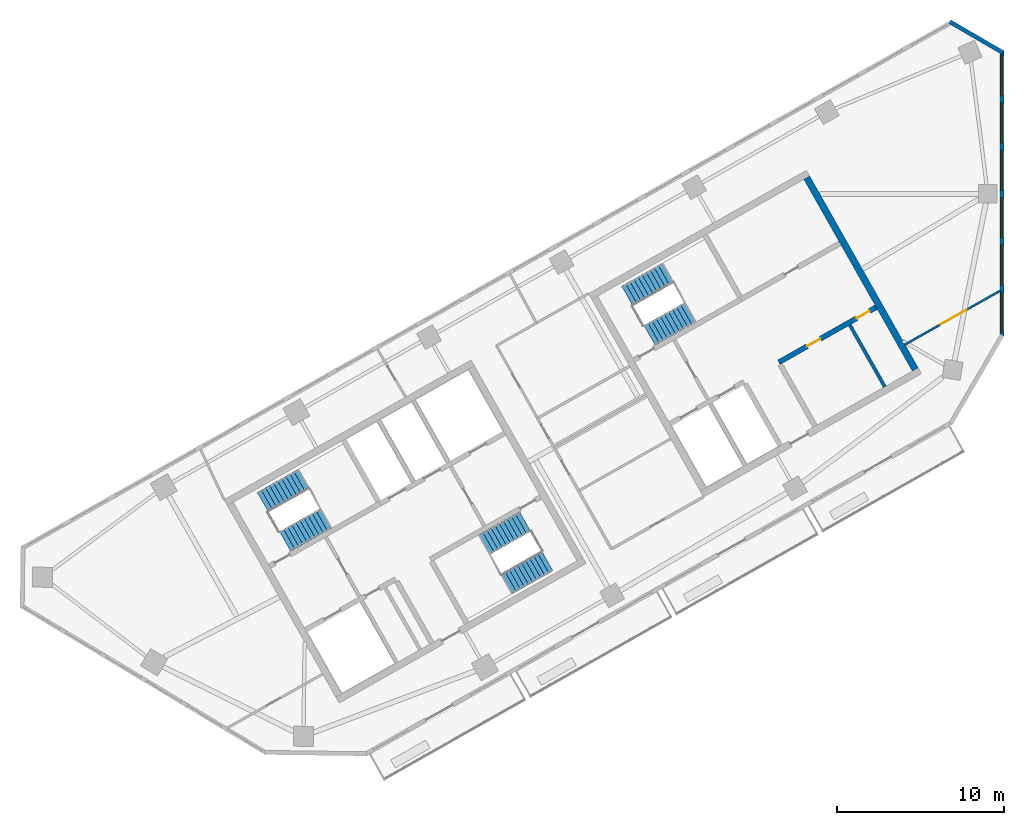
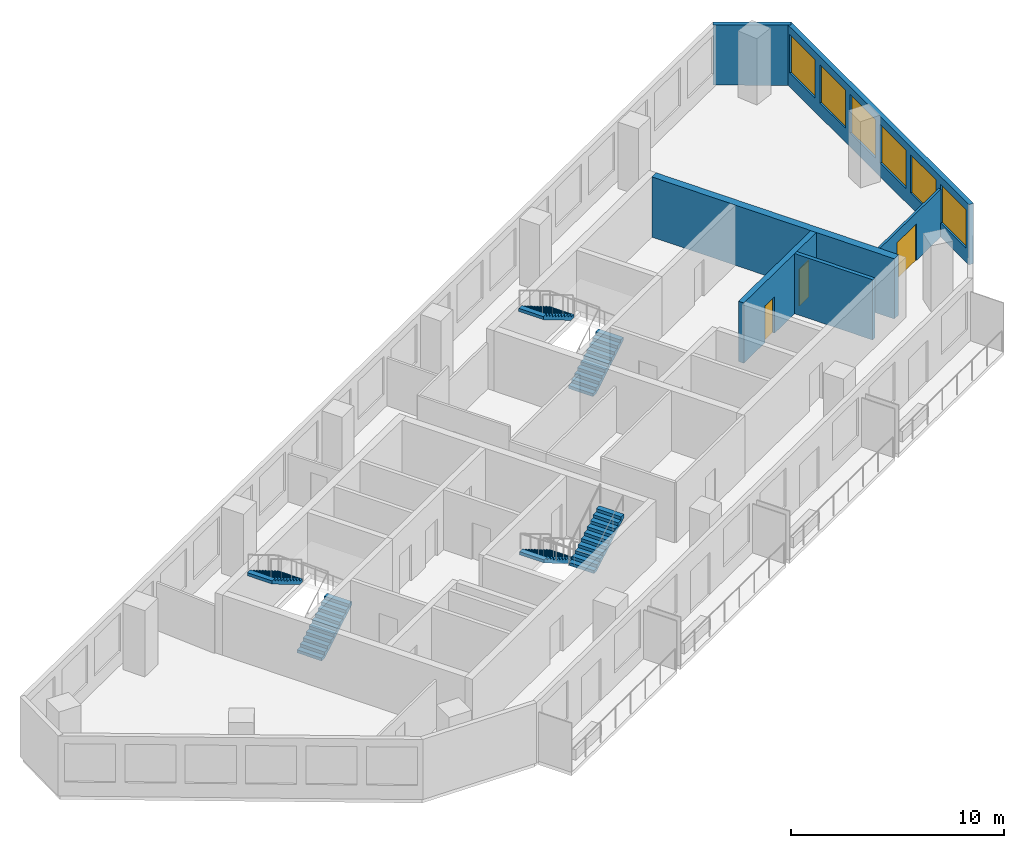
# One storey, part 5 of 7: 6 stair flights, 6 walls, 6 windows, 3 doors, 9 openings, 3 elements without a shape of their own.
"""IFC4 building model written with IfcOpenShell, lengths in metres."""

from ifc_helpers import new_model, si_unit, direction, frame, frame_2d, origin, place, context, subcontext, project, spatial, polyline, rectangle, outline, extrude, material, layer, layer_set, type_object, element, fill, aggregate, save


model = new_model("IFC4")

# Units and contexts
model_context = context("Model", 3, precision=1e-05, world=origin(), true_north=direction((0.0, 1.0)))
body_context = subcontext(model_context, "Body", "Model", "MODEL_VIEW")
ifc_project = project(units=[si_unit("LENGTHUNIT", "METRE"), si_unit("AREAUNIT", "SQUARE_METRE"), si_unit("VOLUMEUNIT", "CUBIC_METRE"), si_unit("PLANEANGLEUNIT", "RADIAN"), si_unit("MASSUNIT", "GRAM", prefix="KILO")], contexts=[model_context])

# Site, building, storey
site_placement = place(None, origin())
site = spatial("IfcSite", under=ifc_project, at=site_placement, CompositionType="ELEMENT")
building_placement = place(site_placement, origin())
building = spatial("IfcBuilding", under=site, at=building_placement, Name="Binnacle Exchange Tower", CompositionType="ELEMENT")
storey_placement = place(building_placement, frame((0.0, 0.0, 281.699951171875)))
storey = spatial("IfcBuildingStorey", under=building, at=storey_placement, Name="L63", CompositionType="ELEMENT", Elevation=281.699951171875)

# Wall
ifc_material_1 = material(Name="Gypsum partition fire rated")
ifc_layer_1 = layer(ifc_material_1, 0.199951171875)
ifc_layer_set_1 = layer_set([ifc_layer_1], Name="Core partition 200")
wall_type_1 = type_object("IfcWallType", Name="Core partition 200", PredefinedType="PARTITIONING", material=ifc_layer_set_1)
wall_1_placement = place(storey_placement, frame((-9.11279296875, 52.14404296875, 0.0), z_axis=(0.0, 0.0, 1.0), x_axis=(0.492422543467, -0.870356271124, 0.0)))
element("IfcWall", 1, at=wall_1_placement, inside=storey, type_object=wall_type_1, Name="Core wall CRWC22", PredefinedType="PARTITIONING", context=body_context, shape_type="SweptSolid", body=[
    extrude(rectangle(XDim=4.25, YDim=0.199951171875, at=frame_2d((2.125, 0.0))), origin(), (0.0, 0.0, 1.0), 3.449951171875),
])

# Wall, openings, doors
ifc_material_2 = material(Name="Concrete C70/85", Category="concrete")
ifc_layer_2 = layer(ifc_material_2, 0.300048828125)
ifc_layer_set_2 = layer_set([ifc_layer_2], Name="Core wall - front 300")
wall_type_2 = type_object("IfcWallType", Name="Core wall - front 300", PredefinedType="SOLIDWALL", material=ifc_layer_set_2)
wall_2_placement = place(storey_placement, frame((-13.364501953125, 49.910888671875, 0.0), z_axis=(0.0, 0.0, 1.0), x_axis=(0.870347618718, 0.492437836272, 0.0)))
wall_2 = element("IfcWall", 2, at=wall_2_placement, inside=storey, type_object=wall_type_2, Name="Core wall CRWC3", PredefinedType="SOLIDWALL", context=body_context, shape_type="SweptSolid", body=[
    extrude(rectangle(XDim=6.699951171875, YDim=0.300048828125, at=frame_2d((3.35009765625, 0.0))), origin(), (0.0, 0.0, 1.0), 3.449951171875),
])
opening_1_placement = place(wall_2_placement, frame((1.949951171875, 0.0, 0.0)))
opening_1 = element("IfcOpeningElement", 3, at=opening_1_placement, cuts=wall_2, Name="Opening DC18", PredefinedType="OPENING", context=body_context, shape_type="SweptSolid", body=[
    extrude(rectangle(XDim=0.89990234375, YDim=2.10009765625, at=frame_2d((0.449951171875, 1.050048828125))), frame((0.0, 0.159912109375, 0.0), z_axis=(0.0, -1.0, 0.0), x_axis=(1.0, 0.0, 0.0)), (0.0, 0.0, 1.0), 0.320068359375),
])
opening_2_placement = place(wall_2_placement, frame((5.35009765625, 0.0, 0.0)))
opening_2 = element("IfcOpeningElement", 4, at=opening_2_placement, cuts=wall_2, Name="Opening DC19", PredefinedType="OPENING", context=body_context, shape_type="SweptSolid", body=[
    extrude(rectangle(XDim=0.89990234375, YDim=2.10009765625, at=frame_2d((0.449951171875, 1.050048828125))), frame((0.0, 0.159912109375, 0.0), z_axis=(0.0, -1.0, 0.0), x_axis=(1.0, 0.0, 0.0)), (0.0, 0.0, 1.0), 0.320068359375),
])
ifc_material_3 = material(Name="Steel door leaf", Category="steel")
door_type_1 = type_object("IfcDoorType", Name="Fire door 900", OperationType="NOTDEFINED", PredefinedType="DOOR", material=ifc_material_3)
door_1_placement = place(opening_1_placement, frame((0.89990234375, 0.0, 0.0), z_axis=(0.0, 0.0, 1.0), x_axis=(-1.0, 0.0, 0.0)))
door_1 = element("IfcDoor", 5, at=door_1_placement, inside=storey, type_object=door_type_1, Name="Core room door TELECOM RISER ROOM", OperationType="SINGLE_SWING_RIGHT", OverallHeight=2.10009765625, OverallWidth=0.89990234375, PredefinedType="DOOR", context=body_context, shape_type="SweptSolid", body=[
    extrude(rectangle(XDim=0.89990234375, YDim=2.10009765625, at=frame_2d((0.449951171875, 1.050048828125))), frame((0.0, 0.02490234375, 0.0), z_axis=(0.0, -1.0, 0.0), x_axis=(1.0, 0.0, 0.0)), (0.0, 0.0, 1.0), 0.050048828125),
])
fill(opening_1, door_1)
door_2_placement = place(opening_2_placement, frame((0.89990234375, 0.0, 0.0), z_axis=(0.0, 0.0, 1.0), x_axis=(-1.0, 0.0, 0.0)))
door_2 = element("IfcDoor", 6, at=door_2_placement, inside=storey, type_object=door_type_1, Name="Core room door COMMS RISER ROOM", OperationType="SINGLE_SWING_LEFT", OverallHeight=2.10009765625, OverallWidth=0.89990234375, PredefinedType="DOOR", context=body_context, shape_type="SweptSolid", body=[
    extrude(rectangle(XDim=0.89990234375, YDim=2.10009765625, at=frame_2d((0.449951171875, 1.050048828125))), frame((0.0, 0.02490234375, 0.0), z_axis=(0.0, -1.0, 0.0), x_axis=(1.0, 0.0, 0.0)), (0.0, 0.0, 1.0), 0.050048828125),
])
fill(opening_2, door_2)

# Wall
ifc_layer_3 = layer(ifc_material_2, 0.39990234375)
ifc_layer_set_3 = layer_set([ifc_layer_3], Name="Core wall - outer 400")
wall_type_3 = type_object("IfcWallType", Name="Core wall - outer 400", PredefinedType="SOLIDWALL", material=ifc_layer_set_3)
wall_3_placement = place(storey_placement, frame((-11.6923828125, 60.968017578125, 0.0), z_axis=(0.0, 0.0, 1.0), x_axis=(0.492421663121, -0.870356769198, 0.0)))
element("IfcWall", 7, at=wall_3_placement, inside=storey, type_object=wall_type_3, Name="Core wall CRWC24", PredefinedType="SOLIDWALL", context=body_context, shape_type="SweptSolid", body=[
    extrude(rectangle(XDim=13.199951171875, YDim=0.39990234375, at=frame_2d((6.60009765625, 0.0))), origin(), (0.0, 0.0, 1.0), 3.449951171875),
])

# Wall, openings, windows
ifc_material_4 = material(Name="Bronze aluminium cladding", Category="aluminium")
ifc_layer_4 = layer(ifc_material_4, 0.25)
ifc_layer_set_4 = layer_set([ifc_layer_4], Name="External wall - window wall 250")
wall_type_4 = type_object("IfcWallType", Name="External wall - window wall 250", PredefinedType="STANDARD", material=ifc_layer_set_4)
wall_4_placement = place(storey_placement, frame((0.0, 68.57177734375, 0.0), z_axis=(0.0, 0.0, 1.0), x_axis=(0.0, -1.0, 0.0)))
wall_4 = element("IfcWall", 8, at=wall_4_placement, inside=storey, type_object=wall_type_4, Name="External wall EW-H01 L63", PredefinedType="STANDARD", context=body_context, shape_type="SweptSolid", body=[
    extrude(rectangle(XDim=17.10546875, YDim=0.25, at=frame_2d((8.552734375, 0.0))), origin(), (0.0, 0.0, 1.0), 3.449951171875),
])
opening_3_placement = place(wall_4_placement, frame((14.455078125, 0.0, 0.800048828125)))
opening_3 = element("IfcOpeningElement", 9, at=opening_3_placement, cuts=wall_4, Name="Opening WR2", PredefinedType="OPENING", context=body_context, shape_type="SweptSolid", body=[
    extrude(rectangle(XDim=2.39990234375, YDim=2.199951171875, at=frame_2d((1.199951171875, 1.10009765625))), frame((0.0, 0.135009765625, 0.0), z_axis=(0.0, -1.0, 0.0), x_axis=(1.0, 0.0, 0.0)), (0.0, 0.0, 1.0), 0.27001953125),
])
opening_4_placement = place(wall_4_placement, frame((11.621826171875, 0.0, 0.800048828125)))
opening_4 = element("IfcOpeningElement", 10, at=opening_4_placement, cuts=wall_4, Name="Opening WR2", PredefinedType="OPENING", context=body_context, shape_type="SweptSolid", body=[
    extrude(rectangle(XDim=2.39990234375, YDim=2.199951171875, at=frame_2d((1.199951171875, 1.10009765625))), frame((0.0, 0.135009765625, 0.0), z_axis=(0.0, -1.0, 0.0), x_axis=(1.0, 0.0, 0.0)), (0.0, 0.0, 1.0), 0.27001953125),
])
opening_5_placement = place(wall_4_placement, frame((8.78857421875, 0.0, 0.800048828125)))
opening_5 = element("IfcOpeningElement", 11, at=opening_5_placement, cuts=wall_4, Name="Opening WR2", PredefinedType="OPENING", context=body_context, shape_type="SweptSolid", body=[
    extrude(rectangle(XDim=2.39990234375, YDim=2.199951171875, at=frame_2d((1.199951171875, 1.10009765625))), frame((0.0, 0.135009765625, 0.0), z_axis=(0.0, -1.0, 0.0), x_axis=(1.0, 0.0, 0.0)), (0.0, 0.0, 1.0), 0.27001953125),
])
opening_6_placement = place(wall_4_placement, frame((5.955078125, 0.0, 0.800048828125)))
opening_6 = element("IfcOpeningElement", 12, at=opening_6_placement, cuts=wall_4, Name="Opening WR2", PredefinedType="OPENING", context=body_context, shape_type="SweptSolid", body=[
    extrude(rectangle(XDim=2.39990234375, YDim=2.199951171875, at=frame_2d((1.199951171875, 1.10009765625))), frame((0.0, 0.135009765625, 0.0), z_axis=(0.0, -1.0, 0.0), x_axis=(1.0, 0.0, 0.0)), (0.0, 0.0, 1.0), 0.27001953125),
])
opening_7_placement = place(wall_4_placement, frame((3.121826171875, 0.0, 0.800048828125)))
opening_7 = element("IfcOpeningElement", 13, at=opening_7_placement, cuts=wall_4, Name="Opening WR2", PredefinedType="OPENING", context=body_context, shape_type="SweptSolid", body=[
    extrude(rectangle(XDim=2.39990234375, YDim=2.199951171875, at=frame_2d((1.199951171875, 1.10009765625))), frame((0.0, 0.135009765625, 0.0), z_axis=(0.0, -1.0, 0.0), x_axis=(1.0, 0.0, 0.0)), (0.0, 0.0, 1.0), 0.27001953125),
])
opening_8_placement = place(wall_4_placement, frame((0.28857421875, 0.0, 0.800048828125)))
opening_8 = element("IfcOpeningElement", 14, at=opening_8_placement, cuts=wall_4, Name="Opening WR2", PredefinedType="OPENING", context=body_context, shape_type="SweptSolid", body=[
    extrude(rectangle(XDim=2.39990234375, YDim=2.199951171875, at=frame_2d((1.199951171875, 1.10009765625))), frame((0.0, 0.135009765625, 0.0), z_axis=(0.0, -1.0, 0.0), x_axis=(1.0, 0.0, 0.0)), (0.0, 0.0, 1.0), 0.27001953125),
])
ifc_material_5 = material(Name="Bronze anodised aluminium frame", Category="aluminium")
window_type = type_object("IfcWindowType", Name="WR2 WINDOW 2400x2200", PartitioningType="SINGLE_PANEL", PredefinedType="WINDOW", material=ifc_material_5)
window_1_placement = place(opening_3_placement, origin())
window_1 = element("IfcWindow", 15, at=window_1_placement, inside=storey, type_object=window_type, Name="Window WR2 L63", OverallHeight=2.199951171875, OverallWidth=2.39990234375, PartitioningType="SINGLE_PANEL", PredefinedType="WINDOW", context=body_context, shape_type="SweptSolid", body=[
    extrude(rectangle(XDim=2.39990234375, YDim=2.199951171875, at=frame_2d((1.199951171875, 1.10009765625))), frame((0.0, 0.030029296875, 0.0), z_axis=(0.0, -1.0, 0.0), x_axis=(1.0, 0.0, 0.0)), (0.0, 0.0, 1.0), 0.06005859375),
])
fill(opening_3, window_1)
window_2_placement = place(opening_4_placement, origin())
window_2 = element("IfcWindow", 16, at=window_2_placement, inside=storey, type_object=window_type, Name="Window WR2 L63", OverallHeight=2.199951171875, OverallWidth=2.39990234375, PartitioningType="SINGLE_PANEL", PredefinedType="WINDOW", context=body_context, shape_type="SweptSolid", body=[
    extrude(rectangle(XDim=2.39990234375, YDim=2.199951171875, at=frame_2d((1.199951171875, 1.10009765625))), frame((0.0, 0.030029296875, 0.0), z_axis=(0.0, -1.0, 0.0), x_axis=(1.0, 0.0, 0.0)), (0.0, 0.0, 1.0), 0.06005859375),
])
fill(opening_4, window_2)
window_3_placement = place(opening_5_placement, origin())
window_3 = element("IfcWindow", 17, at=window_3_placement, inside=storey, type_object=window_type, Name="Window WR2 L63", OverallHeight=2.199951171875, OverallWidth=2.39990234375, PartitioningType="SINGLE_PANEL", PredefinedType="WINDOW", context=body_context, shape_type="SweptSolid", body=[
    extrude(rectangle(XDim=2.39990234375, YDim=2.199951171875, at=frame_2d((1.199951171875, 1.10009765625))), frame((0.0, 0.030029296875, 0.0), z_axis=(0.0, -1.0, 0.0), x_axis=(1.0, 0.0, 0.0)), (0.0, 0.0, 1.0), 0.06005859375),
])
fill(opening_5, window_3)
window_4_placement = place(opening_6_placement, origin())
window_4 = element("IfcWindow", 18, at=window_4_placement, inside=storey, type_object=window_type, Name="Window WR2 L63", OverallHeight=2.199951171875, OverallWidth=2.39990234375, PartitioningType="SINGLE_PANEL", PredefinedType="WINDOW", context=body_context, shape_type="SweptSolid", body=[
    extrude(rectangle(XDim=2.39990234375, YDim=2.199951171875, at=frame_2d((1.199951171875, 1.10009765625))), frame((0.0, 0.030029296875, 0.0), z_axis=(0.0, -1.0, 0.0), x_axis=(1.0, 0.0, 0.0)), (0.0, 0.0, 1.0), 0.06005859375),
])
fill(opening_6, window_4)
window_5_placement = place(opening_7_placement, origin())
window_5 = element("IfcWindow", 19, at=window_5_placement, inside=storey, type_object=window_type, Name="Window WR2 L63", OverallHeight=2.199951171875, OverallWidth=2.39990234375, PartitioningType="SINGLE_PANEL", PredefinedType="WINDOW", context=body_context, shape_type="SweptSolid", body=[
    extrude(rectangle(XDim=2.39990234375, YDim=2.199951171875, at=frame_2d((1.199951171875, 1.10009765625))), frame((0.0, 0.030029296875, 0.0), z_axis=(0.0, -1.0, 0.0), x_axis=(1.0, 0.0, 0.0)), (0.0, 0.0, 1.0), 0.06005859375),
])
fill(opening_7, window_5)
window_6_placement = place(opening_8_placement, origin())
window_6 = element("IfcWindow", 20, at=window_6_placement, inside=storey, type_object=window_type, Name="Window WR2 L63", OverallHeight=2.199951171875, OverallWidth=2.39990234375, PartitioningType="SINGLE_PANEL", PredefinedType="WINDOW", context=body_context, shape_type="SweptSolid", body=[
    extrude(rectangle(XDim=2.39990234375, YDim=2.199951171875, at=frame_2d((1.199951171875, 1.10009765625))), frame((0.0, 0.030029296875, 0.0), z_axis=(0.0, -1.0, 0.0), x_axis=(1.0, 0.0, 0.0)), (0.0, 0.0, 1.0), 0.06005859375),
])
fill(opening_8, window_6)

# Wall
wall_5_placement = place(storey_placement, frame((-3.108154296875, 70.312744140625, 0.0), z_axis=(0.0, 0.0, 1.0), x_axis=(0.86382474085, -0.503792434536, 0.0)))
element("IfcWall", 21, at=wall_5_placement, inside=storey, type_object=wall_type_4, Name="External wall EW-H02 L63", PredefinedType="STANDARD", context=body_context, shape_type="SweptSolid", body=[
    extrude(rectangle(XDim=3.669921875, YDim=0.25, at=frame_2d((1.8349609375, 0.0))), origin(), (0.0, 0.0, 1.0), 3.449951171875),
])

# Wall, opening, door
ifc_material_6 = material(Name="Gypsum partition")
ifc_layer_5 = layer(ifc_material_6, 0.125)
ifc_layer_set_5 = layer_set([ifc_layer_5], Name="Partition 125")
wall_type_5 = type_object("IfcWallType", Name="Partition 125", PredefinedType="PARTITIONING", material=ifc_layer_set_5)
wall_6_placement = place(storey_placement, frame((-5.805908203125, 50.969970703125, 0.0), z_axis=(0.0, 0.0, 1.0), x_axis=(0.870355163327, 0.492424501492, 0.0)))
wall_6 = element("IfcWall", 22, at=wall_6_placement, inside=storey, type_object=wall_type_5, Name="Partition W15", PredefinedType="PARTITIONING", context=body_context, shape_type="SweptSolid", body=[
    extrude(rectangle(XDim=6.527099609375, YDim=0.125, at=frame_2d((3.263671875, 0.0))), origin(), (0.0, 0.0, 1.0), 2.72998046875),
])
opening_9_placement = place(wall_6_placement, frame((2.449951171875, 0.0, 0.0)))
opening_9 = element("IfcOpeningElement", 23, at=opening_9_placement, cuts=wall_6, Name="Opening DL61-07", PredefinedType="OPENING", context=body_context, shape_type="SweptSolid", body=[
    extrude(rectangle(XDim=1.800048828125, YDim=2.10009765625, at=frame_2d((0.89990234375, 1.050048828125))), frame((0.0, 0.072509765625, 0.0), z_axis=(0.0, -1.0, 0.0), x_axis=(1.0, 0.0, 0.0)), (0.0, 0.0, 1.0), 0.14501953125),
])
ifc_material_7 = material(Name="Timber door leaf", Category="wood")
door_type_2 = type_object("IfcDoorType", Name="Double door 1800", OperationType="NOTDEFINED", PredefinedType="DOOR", material=ifc_material_7)
door_3_placement = place(opening_9_placement, origin())
door_3 = element("IfcDoor", 24, at=door_3_placement, inside=storey, type_object=door_type_2, Name="Door DL61-07", OperationType="DOUBLE_DOOR_SINGLE_SWING", OverallHeight=2.10009765625, OverallWidth=1.800048828125, PredefinedType="DOOR", context=body_context, shape_type="SweptSolid", body=[
    extrude(rectangle(XDim=1.800048828125, YDim=2.10009765625, at=frame_2d((0.89990234375, 1.050048828125))), frame((0.0, 0.02490234375, 0.0), z_axis=(0.0, -1.0, 0.0), x_axis=(1.0, 0.0, 0.0)), (0.0, 0.0, 1.0), 0.050048828125),
])
fill(opening_9, door_3)

# Stair, stair flights
ifc_material_8 = material(Name="Concrete C35/45", Category="concrete")
stair_type = type_object("IfcStairType", Name="STAIR 22 RISERS 173", PredefinedType="HALF_TURN_STAIR", material=ifc_material_8)
stair_1_placement = place(storey_placement, origin())
stair_1 = element("IfcStair", 25, at=stair_1_placement, inside=storey, type_object=stair_type, Name="L63 Escape stair A1", PredefinedType="HALF_TURN_STAIR")
stair_flight_type = type_object("IfcStairFlightType", Name="STAIR FLIGHT 173X280", PredefinedType="STRAIGHT", material=ifc_material_8)
stair_flight_1_placement = place(storey_placement, frame((-42.9541015625, 39.17333984375, 0.0), z_axis=(0.0, 0.0, 1.0), x_axis=(0.870355584213, 0.492423757581, 0.0)))
stair_flight_1 = element("IfcStairFlight", 26, at=stair_flight_1_placement, type_object=stair_flight_type, Name="STA1 flight 1", NumberOfRisers=11, NumberOfTreads=10, PredefinedType="STRAIGHT", RiserHeight=0.172727273, TreadLength=0.28, context=body_context, shape_type="SweptSolid", body=[
    extrude(outline(polyline([(0.0, 0.0), (0.0, 0.172607421875), (0.280029296875, 0.172607421875), (0.280029296875, 0.345458984375), (0.56005859375, 0.345458984375), (0.56005859375, 0.51806640625), (0.840087890625, 0.51806640625), (0.840087890625, 0.69091796875), (1.1201171875, 0.69091796875), (1.1201171875, 0.863525390625), (1.39990234375, 0.863525390625), (1.39990234375, 1.036376953125), (1.679931640625, 1.036376953125), (1.679931640625, 1.208984375), (1.9599609375, 1.208984375), (1.9599609375, 1.3818359375), (2.239990234375, 1.3818359375), (2.239990234375, 1.554443359375), (2.52001953125, 1.554443359375), (2.52001953125, 1.727294921875), (2.800048828125, 1.727294921875), (2.800048828125, 1.89990234375), (2.800048828125, 1.551025390625), (0.285400390625, 0.0), (0.0, 0.0)])), frame((0.0, 0.675048828125, 0.0), z_axis=(0.0, -1.0, 0.0), x_axis=(1.0, 0.0, 0.0)), (0.0, 0.0, 1.0), 1.35009765625),
])
stair_flight_2_placement = place(storey_placement, frame((-41.846435546875, 42.902099609375, 1.900146484375), z_axis=(0.0, 0.0, 1.0), x_axis=(-0.870355584213, -0.492423757581, 0.0)))
stair_flight_2 = element("IfcStairFlight", 27, at=stair_flight_2_placement, type_object=stair_flight_type, Name="STA1 flight 2", NumberOfRisers=11, NumberOfTreads=10, PredefinedType="STRAIGHT", RiserHeight=0.172727273, TreadLength=0.28, context=body_context, shape_type="SweptSolid", body=[
    extrude(outline(polyline([(0.0, 0.0), (0.0, 0.172607421875), (0.280029296875, 0.172607421875), (0.280029296875, 0.345458984375), (0.56005859375, 0.345458984375), (0.56005859375, 0.51806640625), (0.840087890625, 0.51806640625), (0.840087890625, 0.69091796875), (1.1201171875, 0.69091796875), (1.1201171875, 0.863525390625), (1.39990234375, 0.863525390625), (1.39990234375, 1.036376953125), (1.679931640625, 1.036376953125), (1.679931640625, 1.208984375), (1.9599609375, 1.208984375), (1.9599609375, 1.3818359375), (2.239990234375, 1.3818359375), (2.239990234375, 1.554443359375), (2.52001953125, 1.554443359375), (2.52001953125, 1.727294921875), (2.800048828125, 1.727294921875), (2.800048828125, 1.89990234375), (2.800048828125, 1.551025390625), (0.285400390625, 0.0), (0.0, 0.0)])), frame((0.0, 0.675048828125, 0.0), z_axis=(0.0, -1.0, 0.0), x_axis=(1.0, 0.0, 0.0)), (0.0, 0.0, 1.0), 1.35009765625),
])
aggregate(stair_1, [stair_flight_1, stair_flight_2])

stair_2_placement = place(storey_placement, origin())
stair_2 = element("IfcStair", 28, at=stair_2_placement, inside=storey, type_object=stair_type, Name="L63 Escape stair A2", PredefinedType="HALF_TURN_STAIR")
stair_flight_3_placement = place(storey_placement, frame((-28.5732421875, 40.3583984375, 0.0), z_axis=(0.0, 0.0, 1.0), x_axis=(-0.870355584213, -0.492423757581, 0.0)))
stair_flight_3 = element("IfcStairFlight", 29, at=stair_flight_3_placement, type_object=stair_flight_type, Name="STA2 flight 1", NumberOfRisers=11, NumberOfTreads=10, PredefinedType="STRAIGHT", RiserHeight=0.172727273, TreadLength=0.28, context=body_context, shape_type="SweptSolid", body=[
    extrude(outline(polyline([(0.0, 0.0), (0.0, 0.172607421875), (0.280029296875, 0.172607421875), (0.280029296875, 0.345458984375), (0.56005859375, 0.345458984375), (0.56005859375, 0.51806640625), (0.840087890625, 0.51806640625), (0.840087890625, 0.69091796875), (1.1201171875, 0.69091796875), (1.1201171875, 0.863525390625), (1.39990234375, 0.863525390625), (1.39990234375, 1.036376953125), (1.679931640625, 1.036376953125), (1.679931640625, 1.208984375), (1.9599609375, 1.208984375), (1.9599609375, 1.3818359375), (2.239990234375, 1.3818359375), (2.239990234375, 1.554443359375), (2.52001953125, 1.554443359375), (2.52001953125, 1.727294921875), (2.800048828125, 1.727294921875), (2.800048828125, 1.89990234375), (2.800048828125, 1.551025390625), (0.285400390625, 0.0), (0.0, 0.0)])), frame((0.0, 0.675048828125, 0.0), z_axis=(0.0, -1.0, 0.0), x_axis=(1.0, 0.0, 0.0)), (0.0, 0.0, 1.0), 1.35009765625),
])
stair_flight_4_placement = place(storey_placement, frame((-29.6806640625, 36.629638671875, 1.900146484375), z_axis=(0.0, 0.0, 1.0), x_axis=(0.870355584213, 0.492423757581, 0.0)))
stair_flight_4 = element("IfcStairFlight", 30, at=stair_flight_4_placement, type_object=stair_flight_type, Name="STA2 flight 2", NumberOfRisers=11, NumberOfTreads=10, PredefinedType="STRAIGHT", RiserHeight=0.172727273, TreadLength=0.28, context=body_context, shape_type="SweptSolid", body=[
    extrude(outline(polyline([(0.0, 0.0), (0.0, 0.172607421875), (0.280029296875, 0.172607421875), (0.280029296875, 0.345458984375), (0.56005859375, 0.345458984375), (0.56005859375, 0.51806640625), (0.840087890625, 0.51806640625), (0.840087890625, 0.69091796875), (1.1201171875, 0.69091796875), (1.1201171875, 0.863525390625), (1.39990234375, 0.863525390625), (1.39990234375, 1.036376953125), (1.679931640625, 1.036376953125), (1.679931640625, 1.208984375), (1.9599609375, 1.208984375), (1.9599609375, 1.3818359375), (2.239990234375, 1.3818359375), (2.239990234375, 1.554443359375), (2.52001953125, 1.554443359375), (2.52001953125, 1.727294921875), (2.800048828125, 1.727294921875), (2.800048828125, 1.89990234375), (2.800048828125, 1.551025390625), (0.285400390625, 0.0), (0.0, 0.0)])), frame((0.0, 0.675048828125, 0.0), z_axis=(0.0, -1.0, 0.0), x_axis=(1.0, 0.0, 0.0)), (0.0, 0.0, 1.0), 1.35009765625),
])
aggregate(stair_2, [stair_flight_3, stair_flight_4])

stair_3_placement = place(storey_placement, origin())
stair_3 = element("IfcStair", 31, at=stair_3_placement, inside=storey, type_object=stair_type, Name="L63 Escape stair C1", PredefinedType="HALF_TURN_STAIR")
stair_flight_5_placement = place(storey_placement, frame((-21.115966796875, 51.528564453125, 0.0), z_axis=(0.0, 0.0, 1.0), x_axis=(0.870355584213, 0.492423757581, 0.0)))
stair_flight_5 = element("IfcStairFlight", 32, at=stair_flight_5_placement, type_object=stair_flight_type, Name="STC1 flight 1", NumberOfRisers=11, NumberOfTreads=10, PredefinedType="STRAIGHT", RiserHeight=0.172727273, TreadLength=0.28, context=body_context, shape_type="SweptSolid", body=[
    extrude(outline(polyline([(0.0, 0.0), (0.0, 0.172607421875), (0.280029296875, 0.172607421875), (0.280029296875, 0.345458984375), (0.56005859375, 0.345458984375), (0.56005859375, 0.51806640625), (0.840087890625, 0.51806640625), (0.840087890625, 0.69091796875), (1.1201171875, 0.69091796875), (1.1201171875, 0.863525390625), (1.39990234375, 0.863525390625), (1.39990234375, 1.036376953125), (1.679931640625, 1.036376953125), (1.679931640625, 1.208984375), (1.9599609375, 1.208984375), (1.9599609375, 1.3818359375), (2.239990234375, 1.3818359375), (2.239990234375, 1.554443359375), (2.52001953125, 1.554443359375), (2.52001953125, 1.727294921875), (2.800048828125, 1.727294921875), (2.800048828125, 1.89990234375), (2.800048828125, 1.551025390625), (0.285400390625, 0.0), (0.0, 0.0)])), frame((0.0, 0.675048828125, 0.0), z_axis=(0.0, -1.0, 0.0), x_axis=(1.0, 0.0, 0.0)), (0.0, 0.0, 1.0), 1.35009765625),
])
stair_flight_6_placement = place(storey_placement, frame((-20.008544921875, 55.25732421875, 1.900146484375), z_axis=(0.0, 0.0, 1.0), x_axis=(-0.870355584213, -0.492423757581, 0.0)))
stair_flight_6 = element("IfcStairFlight", 33, at=stair_flight_6_placement, type_object=stair_flight_type, Name="STC1 flight 2", NumberOfRisers=11, NumberOfTreads=10, PredefinedType="STRAIGHT", RiserHeight=0.172727273, TreadLength=0.28, context=body_context, shape_type="SweptSolid", body=[
    extrude(outline(polyline([(0.0, 0.0), (0.0, 0.172607421875), (0.280029296875, 0.172607421875), (0.280029296875, 0.345458984375), (0.56005859375, 0.345458984375), (0.56005859375, 0.51806640625), (0.840087890625, 0.51806640625), (0.840087890625, 0.69091796875), (1.1201171875, 0.69091796875), (1.1201171875, 0.863525390625), (1.39990234375, 0.863525390625), (1.39990234375, 1.036376953125), (1.679931640625, 1.036376953125), (1.679931640625, 1.208984375), (1.9599609375, 1.208984375), (1.9599609375, 1.3818359375), (2.239990234375, 1.3818359375), (2.239990234375, 1.554443359375), (2.52001953125, 1.554443359375), (2.52001953125, 1.727294921875), (2.800048828125, 1.727294921875), (2.800048828125, 1.89990234375), (2.800048828125, 1.551025390625), (0.285400390625, 0.0), (0.0, 0.0)])), frame((0.0, 0.675048828125, 0.0), z_axis=(0.0, -1.0, 0.0), x_axis=(1.0, 0.0, 0.0)), (0.0, 0.0, 1.0), 1.35009765625),
])
aggregate(stair_3, [stair_flight_5, stair_flight_6])

save(model, "model.ifc")
